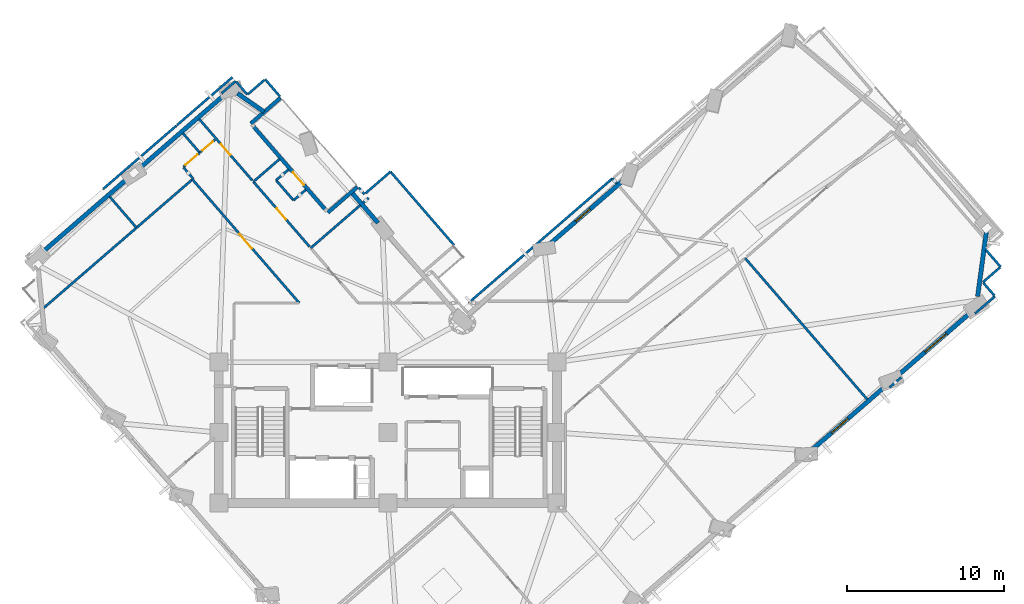
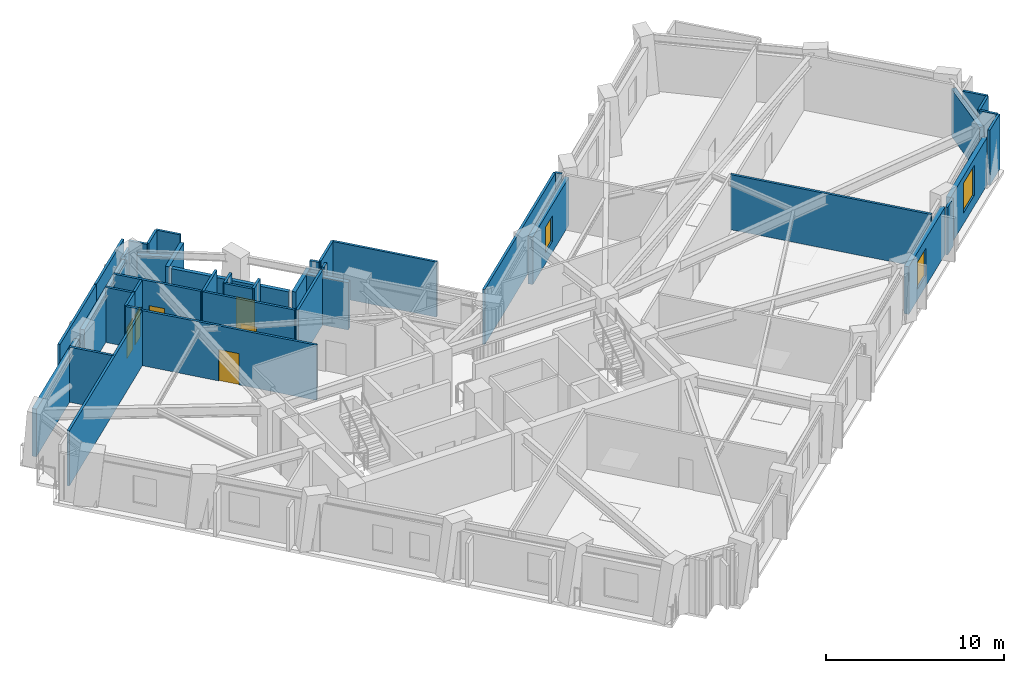
# One storey, part 8 of 14: 43 walls, 6 doors, 3 windows, 9 openings.
"""IFC4 building model written with IfcOpenShell, lengths in metres."""

from ifc_helpers import new_model, si_unit, direction, frame, frame_2d, origin, place, context, subcontext, project, spatial, rectangle, extrude, material, layer, layer_set, type_object, element, fill, save


model = new_model("IFC4")

# Units and contexts
model_context = context("Model", 3, precision=1e-05, world=origin(), true_north=direction((0.0, 1.0)))
body_context = subcontext(model_context, "Body", "Model", "MODEL_VIEW")
ifc_project = project(units=[si_unit("LENGTHUNIT", "METRE"), si_unit("AREAUNIT", "SQUARE_METRE"), si_unit("VOLUMEUNIT", "CUBIC_METRE"), si_unit("PLANEANGLEUNIT", "RADIAN"), si_unit("MASSUNIT", "GRAM", prefix="KILO")], contexts=[model_context])

# Site, building, storey
site_placement = place(None, origin())
site = spatial("IfcSite", under=ifc_project, at=site_placement, CompositionType="ELEMENT")
building_placement = place(site_placement, origin())
building = spatial("IfcBuilding", under=site, at=building_placement, Name="Gaonmaruhae Medical Tower", CompositionType="ELEMENT")
storey_placement = place(building_placement, frame((0.0, 0.0, 197.800048828125)))
storey = spatial("IfcBuildingStorey", under=building, at=storey_placement, Name="L47", CompositionType="ELEMENT", Elevation=197.800048828125)

# Wall, opening, door
ifc_material_1 = material(Name="Precast concrete C45/55", Category="concrete")
ifc_layer_1 = layer(ifc_material_1, 0.239990234375)
ifc_layer_set_1 = layer_set([ifc_layer_1], Name="Precast concrete C45/55")
wall_type_1 = type_object("IfcWallType", Name="EW-240 Ribbon & Shelter Insulated Precast Wall", PredefinedType="SOLIDWALL", material=ifc_layer_set_1)
wall_1_placement = place(storey_placement, frame((16.22998046875, 31.831298828125, 0.0), z_axis=(0.0, 0.0, 1.0), x_axis=(0.654092813451, -0.756414298775, 0.0)))
wall_1 = element("IfcWall", 1, at=wall_1_placement, inside=storey, type_object=wall_type_1, Name="L47 Recessed Terrace Enclosure Wall TERB", PredefinedType="SOLIDWALL", context=body_context, shape_type="SweptSolid", body=[
    extrude(rectangle(XDim=6.9599609375, YDim=0.239990234375, at=frame_2d((3.47998046875, 0.0))), origin(), (0.0, 0.0, 1.0), 3.264892578125),
])
opening_1_placement = place(wall_1_placement, frame((3.819580078125, 0.0, 0.0)))
opening_1 = element("IfcOpeningElement", 2, at=opening_1_placement, cuts=wall_1, Name="Opening TD-01", PredefinedType="OPENING", context=body_context, shape_type="SweptSolid", body=[
    extrude(rectangle(XDim=1.10009765625, YDim=2.14990234375, at=frame_2d((0.550048828125, 1.074951171875))), frame((0.0, 0.1298828125, 0.0), z_axis=(0.0, -1.0, 0.0), x_axis=(1.0, 0.0, 0.0)), (0.0, 0.0, 1.0), 0.260009765625),
])
ifc_material_2 = material(Name="Anodised aluminium and toughened safety glass", Category="aluminium")
door_type_1 = type_object("IfcDoorType", Name="TD-01 Terrace & Sky Garden Glazed Door 1100x2150", OperationType="NOTDEFINED", PredefinedType="DOOR", material=ifc_material_2)
door_1_placement = place(opening_1_placement, origin())
door_1 = element("IfcDoor", 3, at=door_1_placement, inside=storey, type_object=door_type_1, Name="L47 Outdoor Terrace Access Door SLB-L47-TER", OperationType="SINGLE_SWING_LEFT", OverallHeight=2.14990234375, OverallWidth=1.10009765625, PredefinedType="DOOR", context=body_context, shape_type="SweptSolid", body=[
    extrude(rectangle(XDim=1.10009765625, YDim=2.14990234375, at=frame_2d((0.550048828125, 1.074951171875))), frame((0.0, 0.02490234375, 0.0), z_axis=(0.0, -1.0, 0.0), x_axis=(1.0, 0.0, 0.0)), (0.0, 0.0, 1.0), 0.050048828125),
])
fill(opening_1, door_1)

# Walls
for number, where, z_axis, x_axis, name in (
    (4, (20.965576171875, 26.354736328125, 0.0), (0.0, 0.0, 1.0), (0.756423238551, 0.65408247506, 0.0), "L47 Recessed Terrace Enclosure Wall TERL"),
    (5, (17.93798828125, 33.67822265625, 0.0), (0.0, 0.0, 1.0), (-0.75647155488, -0.654026594763, 0.0), "L47 Recessed Terrace Enclosure Wall TERR"),
):
    element("IfcWall", number, at=place(storey_placement, frame(where, z_axis=z_axis, x_axis=x_axis)), inside=storey, type_object=wall_type_1, Name=name, PredefinedType="SOLIDWALL", context=body_context, shape_type="SweptSolid", body=[
        extrude(rectangle(XDim=2.5, YDim=0.239990234375, at=frame_2d((1.25, 0.0))), origin(), (0.0, 0.0, 1.0), 3.264892578125),
    ])

# Wall, opening, window
ifc_layer_2 = layer(ifc_material_1, 0.280029296875)
ifc_layer_set_2 = layer_set([ifc_layer_2], Name="Precast concrete C45/55")
wall_type_2 = type_object("IfcWallType", Name="EW-280 Upper Precast Masonry-Frame Facade Wall", PredefinedType="SOLIDWALL", material=ifc_layer_set_2)
wall_2_placement = place(storey_placement, frame((56.69873046875, 15.35888671875, 0.0), z_axis=(0.0, 0.0, 1.0), x_axis=(-0.756411472006, -0.654096082405, 0.0)))
wall_2 = element("IfcWall", 6, at=wall_2_placement, inside=storey, type_object=wall_type_2, Name="L47 Precast Masonry-Frame Wall S05-S06", PredefinedType="SOLIDWALL", context=body_context, shape_type="SweptSolid", body=[
    extrude(rectangle(XDim=6.21826171875, YDim=0.280029296875, at=frame_2d((3.109130859375, 0.0))), origin(), (0.0, 0.0, 1.0), 3.264892578125),
])
opening_2_placement = place(wall_2_placement, frame((3.3046875, 0.0, 0.75)))
opening_2 = element("IfcOpeningElement", 7, at=opening_2_placement, cuts=wall_2, Name="Opening WN-03", PredefinedType="OPENING", context=body_context, shape_type="SweptSolid", body=[
    extrude(rectangle(XDim=1.39990234375, YDim=1.85009765625, at=frame_2d((0.699951171875, 0.925048828125))), frame((0.0, 0.14990234375, 0.0), z_axis=(0.0, -1.0, 0.0), x_axis=(1.0, 0.0, 0.0)), (0.0, 0.0, 1.0), 0.300048828125),
])
ifc_material_3 = material(Name="Anodised aluminium and Low-E double glazing", Category="aluminium")
window_type_1 = type_object("IfcWindowType", Name="WN-03 Isolation Ward Punched Window 1400x1850", PartitioningType="SINGLE_PANEL", PredefinedType="WINDOW", material=ifc_material_3)
window_1_placement = place(opening_2_placement, origin())
window_1 = element("IfcWindow", 8, at=window_1_placement, inside=storey, type_object=window_type_1, Name="L47 Modular Facade Window S05", OverallHeight=1.85009765625, OverallWidth=1.39990234375, PartitioningType="SINGLE_PANEL", PredefinedType="WINDOW", context=body_context, shape_type="SweptSolid", body=[
    extrude(rectangle(XDim=1.39990234375, YDim=1.85009765625, at=frame_2d((0.699951171875, 0.925048828125))), frame((0.0, 0.030029296875, 0.0), z_axis=(0.0, -1.0, 0.0), x_axis=(1.0, 0.0, 0.0)), (0.0, 0.0, 1.0), 0.06005859375),
])
fill(opening_2, window_1)

wall_3_placement = place(storey_placement, frame((62.156494140625, 20.078369140625, 0.0), z_axis=(0.0, 0.0, 1.0), x_axis=(-0.756391936457, -0.654118673073, 0.0)))
wall_3 = element("IfcWall", 9, at=wall_3_placement, inside=storey, type_object=wall_type_2, Name="L47 Precast Masonry-Frame Wall S06-S07", PredefinedType="SOLIDWALL", context=body_context, shape_type="SweptSolid", body=[
    extrude(rectangle(XDim=6.242431640625, YDim=0.280029296875, at=frame_2d((3.12109375, 0.0))), origin(), (0.0, 0.0, 1.0), 3.264892578125),
])
opening_3_placement = place(wall_3_placement, frame((2.22509765625, 0.0, 0.75)))
opening_3 = element("IfcOpeningElement", 10, at=opening_3_placement, cuts=wall_3, Name="Opening WN-04", PredefinedType="OPENING", context=body_context, shape_type="SweptSolid", body=[
    extrude(rectangle(XDim=1.800048828125, YDim=2.050048828125, at=frame_2d((0.89990234375, 1.02490234375))), frame((0.0, 0.14990234375, 0.0), z_axis=(0.0, -1.0, 0.0), x_axis=(1.0, 0.0, 0.0)), (0.0, 0.0, 1.0), 0.300048828125),
])
window_type_2 = type_object("IfcWindowType", Name="WN-04 Clinic & Consult Punched Window 1800x2050", PartitioningType="SINGLE_PANEL", PredefinedType="WINDOW", material=ifc_material_3)
window_2_placement = place(opening_3_placement, origin())
window_2 = element("IfcWindow", 11, at=window_2_placement, inside=storey, type_object=window_type_2, Name="L47 Modular Facade Window S06", OverallHeight=2.050048828125, OverallWidth=1.800048828125, PartitioningType="SINGLE_PANEL", PredefinedType="WINDOW", context=body_context, shape_type="SweptSolid", body=[
    extrude(rectangle(XDim=1.800048828125, YDim=2.050048828125, at=frame_2d((0.89990234375, 1.02490234375))), frame((0.0, 0.030029296875, 0.0), z_axis=(0.0, -1.0, 0.0), x_axis=(1.0, 0.0, 0.0)), (0.0, 0.0, 1.0), 0.06005859375),
])
fill(opening_3, window_2)

# Wall
wall_4_placement = place(storey_placement, frame((63.028564453125, 25.10498046875, 0.0), z_axis=(0.0, 0.0, 1.0), x_axis=(-0.134053903039, -0.990974041577, 0.0)))
element("IfcWall", 12, at=wall_4_placement, inside=storey, type_object=wall_type_2, Name="L47 Precast Masonry-Frame Wall S07-E01", PredefinedType="SOLIDWALL", context=body_context, shape_type="SweptSolid", body=[
    extrude(rectangle(XDim=4.14501953125, YDim=0.280029296875, at=frame_2d((2.072509765625, 0.0))), origin(), (0.0, 0.0, 1.0), 3.264892578125),
])

# Wall, opening, window
wall_5_placement = place(storey_placement, frame((35.16943359375, 24.372314453125, 0.0), z_axis=(0.0, 0.0, 1.0), x_axis=(0.756430449214, 0.65407413609, 0.0)))
wall_5 = element("IfcWall", 13, at=wall_5_placement, inside=storey, type_object=wall_type_2, Name="L47 Precast Masonry-Frame Wall EN02-EN03", PredefinedType="SOLIDWALL", context=body_context, shape_type="SweptSolid", body=[
    extrude(rectangle(XDim=6.211181640625, YDim=0.280029296875, at=frame_2d((3.10546875, 0.0))), origin(), (0.0, 0.0, 1.0), 3.264892578125),
])
opening_4_placement = place(wall_5_placement, frame((2.161376953125, 0.0, 0.75)))
opening_4 = element("IfcOpeningElement", 14, at=opening_4_placement, cuts=wall_5, Name="Opening WN-05", PredefinedType="OPENING", context=body_context, shape_type="SweptSolid", body=[
    extrude(rectangle(XDim=1.199951171875, YDim=1.75, at=frame_2d((0.60009765625, 0.875))), frame((0.0, 0.14990234375, 0.0), z_axis=(0.0, -1.0, 0.0), x_axis=(1.0, 0.0, 0.0)), (0.0, 0.0, 1.0), 0.300048828125),
])
window_type_3 = type_object("IfcWindowType", Name="WN-05 Support & Staff Punched Window 1200x1750", PartitioningType="SINGLE_PANEL", PredefinedType="WINDOW", material=ifc_material_3)
window_3_placement = place(opening_4_placement, origin())
window_3 = element("IfcWindow", 15, at=window_3_placement, inside=storey, type_object=window_type_3, Name="L47 Modular Facade Window EN02", OverallHeight=1.75, OverallWidth=1.199951171875, PartitioningType="SINGLE_PANEL", PredefinedType="WINDOW", context=body_context, shape_type="SweptSolid", body=[
    extrude(rectangle(XDim=1.199951171875, YDim=1.75, at=frame_2d((0.60009765625, 0.875))), frame((0.0, 0.030029296875, 0.0), z_axis=(0.0, -1.0, 0.0), x_axis=(1.0, 0.0, 0.0)), (0.0, 0.0, 1.0), 0.06005859375),
])
fill(opening_4, window_3)

# Walls
wall_6_placement = place(storey_placement, frame((24.17236328125, 25.688720703125, 0.0), z_axis=(0.0, 0.0, 1.0), x_axis=(-0.654087588851, 0.756418816603, 0.0)))
element("IfcWall", 16, at=wall_6_placement, inside=storey, type_object=wall_type_2, Name="L47 Precast Masonry-Frame Wall NE01-NE02", PredefinedType="SOLIDWALL", context=body_context, shape_type="SweptSolid", body=[
    extrude(rectangle(XDim=2.58154296875, YDim=0.280029296875, at=frame_2d((1.290771484375, 0.0))), origin(), (0.0, 0.0, 1.0), 3.244873046875),
])
wall_7_placement = place(storey_placement, frame((15.1923828125, 33.966796875, 0.0), z_axis=(0.0, 0.0, 1.0), x_axis=(0.821504218331, -0.570202437092, 0.0)))
element("IfcWall", 17, at=wall_7_placement, inside=storey, type_object=wall_type_2, Name="L47 Precast Masonry-Frame Wall NE02-N01", PredefinedType="SOLIDWALL", context=body_context, shape_type="SweptSolid", body=[
    extrude(rectangle(XDim=2.05859375, YDim=0.280029296875, at=frame_2d((1.029296875, 0.0))), origin(), (0.0, 0.0, 1.0), 3.244873046875),
])
wall_8_placement = place(storey_placement, frame((8.826171875, 29.091064453125, 0.0), z_axis=(0.0, 0.0, 1.0), x_axis=(0.756422768402, 0.654083018769, 0.0)))
element("IfcWall", 18, at=wall_8_placement, inside=storey, type_object=wall_type_2, Name="L47 Precast Masonry-Frame Wall N01-N02", PredefinedType="SOLIDWALL", context=body_context, shape_type="SweptSolid", body=[
    extrude(rectangle(XDim=7.230712890625, YDim=0.280029296875, at=frame_2d((3.615234375, 0.0))), origin(), (0.0, 0.0, 1.0), 3.264892578125),
])
wall_9_placement = place(storey_placement, frame((2.60498046875, 23.711669921875, 0.0), z_axis=(0.0, 0.0, 1.0), x_axis=(0.756416610338, 0.654090140275, 0.0)))
element("IfcWall", 19, at=wall_9_placement, inside=storey, type_object=wall_type_2, Name="L47 Precast Masonry-Frame Wall N02-N03", PredefinedType="SOLIDWALL", context=body_context, shape_type="SweptSolid", body=[
    extrude(rectangle(XDim=7.269775390625, YDim=0.280029296875, at=frame_2d((3.634765625, 0.0))), origin(), (0.0, 0.0, 1.0), 3.264892578125),
])
ifc_material_4 = material(Name="Gypsum board partition", Category="gypsum")
ifc_layer_3 = layer(ifc_material_4, 0.14990234375)
ifc_layer_set_3 = layer_set([ifc_layer_3], Name="Gypsum board partition")
wall_type_3 = type_object("IfcWallType", Name="PW-150 Rated Clinical Corridor Partition", PredefinedType="PARTITIONING", material=ifc_layer_set_3)
wall_10_placement = place(storey_placement, frame((47.6201171875, 23.43896484375, 0.0), z_axis=(0.0, 0.0, 1.0), x_axis=(0.654095318202, -0.756412132839, 0.0)))
element("IfcWall", 20, at=wall_10_placement, inside=storey, type_object=wall_type_3, Name="L47 Interior Partition L47-SUP03-23", PredefinedType="PARTITIONING", context=body_context, shape_type="SweptSolid", body=[
    extrude(rectangle(XDim=11.935302734375, YDim=0.14990234375, at=frame_2d((5.9677734375, 0.0))), origin(), (0.0, 0.0, 1.0), 3.780029296875),
])
wall_11_placement = place(storey_placement, frame((63.583984375, 21.008056640625, 0.0), z_axis=(0.0, 0.0, 1.0), x_axis=(-0.756513998458, -0.653977499718, 0.0)))
element("IfcWall", 21, at=wall_11_placement, inside=storey, type_object=wall_type_3, Name="L47 Interior Partition L47-SUP04-25", PredefinedType="PARTITIONING", context=body_context, shape_type="SweptSolid", body=[
    extrude(rectangle(XDim=1.688232421875, YDim=0.14990234375, at=frame_2d((0.84423828125, 0.0))), origin(), (0.0, 0.0, 1.0), 3.780029296875),
])
wall_12_placement = place(storey_placement, frame((57.5849609375, 15.822021484375, 0.0), z_axis=(0.0, 0.0, 1.0), x_axis=(-0.75607796625, -0.654481557381, 0.0)))
element("IfcWall", 22, at=wall_12_placement, inside=storey, type_object=wall_type_3, Name="L47 Interior Partition L47-SUP04-26", PredefinedType="PARTITIONING", context=body_context, shape_type="SweptSolid", body=[
    extrude(rectangle(XDim=0.97314453125, YDim=0.14990234375, at=frame_2d((0.486572265625, 0.0))), origin(), (0.0, 0.0, 1.0), 3.264892578125),
])
wall_13_placement = place(storey_placement, frame((62.992919921875, 23.98388671875, 0.0), z_axis=(0.0, 0.0, 1.0), x_axis=(0.654234843955, -0.756291457677, 0.0)))
element("IfcWall", 23, at=wall_13_placement, inside=storey, type_object=wall_type_3, Name="L47 Interior Partition L47-SUP04-29", PredefinedType="PARTITIONING", context=body_context, shape_type="SweptSolid", body=[
    extrude(rectangle(XDim=1.456787109375, YDim=0.14990234375, at=frame_2d((0.728515625, 0.0))), origin(), (0.0, 0.0, 1.0), 3.780029296875),
])
wall_14_placement = place(storey_placement, frame((63.907958984375, 22.84912109375, 0.0), z_axis=(0.0, 0.0, 1.0), x_axis=(-0.756227992108, -0.654308202572, 0.0)))
element("IfcWall", 24, at=wall_14_placement, inside=storey, type_object=wall_type_3, Name="L47 Interior Partition L47-SUP04-30", PredefinedType="PARTITIONING", context=body_context, shape_type="SweptSolid", body=[
    extrude(rectangle(XDim=1.44921875, YDim=0.14990234375, at=frame_2d((0.724609375, 0.0))), origin(), (0.0, 0.0, 1.0), 3.780029296875),
])
wall_15_placement = place(storey_placement, frame((62.844970703125, 21.863037109375, 0.0), z_axis=(0.0, 0.0, 1.0), x_axis=(0.653802314779, -0.756665403722, 0.0)))
element("IfcWall", 25, at=wall_15_placement, inside=storey, type_object=wall_type_3, Name="L47 Interior Partition L47-SUP04-31", PredefinedType="PARTITIONING", context=body_context, shape_type="SweptSolid", body=[
    extrude(rectangle(XDim=1.079833984375, YDim=0.14990234375, at=frame_2d((0.5400390625, 0.0))), origin(), (0.0, 0.0, 1.0), 3.780029296875),
])
wall_16_placement = place(storey_placement, frame((2.820068359375, 20.261962890625, 0.0), z_axis=(0.0, 0.0, 1.0), x_axis=(0.756440163384, 0.654062901577, 0.0)))
element("IfcWall", 26, at=wall_16_placement, inside=storey, type_object=wall_type_3, Name="L47 Interior Partition L47-WOF06-43", PredefinedType="PARTITIONING", context=body_context, shape_type="SweptSolid", body=[
    extrude(rectangle(XDim=12.55078125, YDim=0.14990234375, at=frame_2d((6.275390625, 0.0))), origin(), (0.0, 0.0, 1.0), 3.780029296875),
])

# Wall, opening, door
wall_17_placement = place(storey_placement, frame((12.31396484375, 28.470947265625, 0.0), z_axis=(0.0, 0.0, 1.0), x_axis=(0.654121175756, -0.756389772159, 0.0)))
wall_17 = element("IfcWall", 27, at=wall_17_placement, inside=storey, type_object=wall_type_3, Name="L47 Interior Partition L47-WOF06-44", PredefinedType="PARTITIONING", context=body_context, shape_type="SweptSolid", body=[
    extrude(rectangle(XDim=10.432373046875, YDim=0.14990234375, at=frame_2d((5.21630859375, 0.0))), origin(), (0.0, 0.0, 1.0), 3.780029296875),
])
opening_5_placement = place(wall_17_placement, frame((4.6162109375, 0.0, 0.0)))
opening_5 = element("IfcOpeningElement", 28, at=opening_5_placement, cuts=wall_17, Name="Opening CD-02", PredefinedType="OPENING", context=body_context, shape_type="SweptSolid", body=[
    extrude(rectangle(XDim=1.199951171875, YDim=2.14990234375, at=frame_2d((0.60009765625, 1.074951171875))), frame((0.0, 0.0849609375, 0.0), z_axis=(0.0, -1.0, 0.0), x_axis=(1.0, 0.0, 0.0)), (0.0, 0.0, 1.0), 0.169921875),
])
ifc_material_5 = material(Name="Antimicrobial laminate timber fire door", Category="wood")
door_type_2 = type_object("IfcDoorType", Name="CD-02 Clinical Treatment & Procedure Door 1200x2150", OperationType="NOTDEFINED", PredefinedType="DOOR", material=ifc_material_5)
door_2_placement = place(opening_5_placement, origin())
door_2 = element("IfcDoor", 29, at=door_2_placement, inside=storey, type_object=door_type_2, Name="L47 Ward Physician Reporting Office Door", OperationType="SINGLE_SWING_RIGHT", OverallHeight=2.14990234375, OverallWidth=1.199951171875, PredefinedType="DOOR", context=body_context, shape_type="SweptSolid", body=[
    extrude(rectangle(XDim=1.199951171875, YDim=2.14990234375, at=frame_2d((0.60009765625, 1.074951171875))), frame((0.0, 0.02490234375, 0.0), z_axis=(0.0, -1.0, 0.0), x_axis=(1.0, 0.0, 0.0)), (0.0, 0.0, 1.0), 0.050048828125),
])
fill(opening_5, door_2)

# Walls
wall_18_placement = place(storey_placement, frame((29.943115234375, 20.580078125, 0.0), z_axis=(0.0, 0.0, 1.0), x_axis=(0.756413617827, 0.654093600921, 0.0)))
element("IfcWall", 30, at=wall_18_placement, inside=storey, type_object=wall_type_3, Name="L47 Interior Partition L47-IE01-47", PredefinedType="PARTITIONING", context=body_context, shape_type="SweptSolid", body=[
    extrude(rectangle(XDim=12.16650390625, YDim=0.14990234375, at=frame_2d((6.083251953125, 0.0))), origin(), (0.0, 0.0, 1.0), 3.780029296875),
])
wall_19_placement = place(storey_placement, frame((39.14599609375, 28.5380859375, 0.0), z_axis=(0.0, 0.0, 1.0), x_axis=(0.653239570373, -0.757151281911, 0.0)))
element("IfcWall", 31, at=wall_19_placement, inside=storey, type_object=wall_type_3, Name="L47 Interior Partition L47-IE01-48", PredefinedType="PARTITIONING", context=body_context, shape_type="SweptSolid", body=[
    extrude(rectangle(XDim=0.4345703125, YDim=0.14990234375, at=frame_2d((0.21728515625, 0.0))), origin(), (0.0, 0.0, 1.0), 3.780029296875),
])
wall_20_placement = place(storey_placement, frame((19.8720703125, 24.0869140625, 0.0), z_axis=(0.0, 0.0, 1.0), x_axis=(0.756494990974, 0.653999486721, 0.0)))
element("IfcWall", 32, at=wall_20_placement, inside=storey, type_object=wall_type_3, Name="L47 Interior Partition L47-IN01-58", PredefinedType="PARTITIONING", context=body_context, shape_type="SweptSolid", body=[
    extrude(rectangle(XDim=4.18505859375, YDim=0.14990234375, at=frame_2d((2.092529296875, 0.0))), origin(), (0.0, 0.0, 1.0), 3.780029296875),
])
wall_21_placement = place(storey_placement, frame((23.2119140625, 26.97509765625, 0.0), z_axis=(0.0, 0.0, 1.0), x_axis=(0.75704932423, 0.653357727959, 0.0)))
element("IfcWall", 33, at=wall_21_placement, inside=storey, type_object=wall_type_3, Name="L47 Interior Partition L47-IN01-59", PredefinedType="PARTITIONING", context=body_context, shape_type="SweptSolid", body=[
    extrude(rectangle(XDim=0.485107421875, YDim=0.14990234375, at=frame_2d((0.24267578125, 0.0))), origin(), (0.0, 0.0, 1.0), 3.780029296875),
])

# Wall, opening, door
wall_22_placement = place(storey_placement, frame((19.7939453125, 24.177978515625, 0.0), z_axis=(0.0, 0.0, 1.0), x_axis=(-0.6541601986, 0.756356023687, 0.0)))
wall_22 = element("IfcWall", 34, at=wall_22_placement, inside=storey, type_object=wall_type_3, Name="L47 Interior Partition L47-IN02-65", PredefinedType="PARTITIONING", context=body_context, shape_type="SweptSolid", body=[
    extrude(rectangle(XDim=5.480224609375, YDim=0.14990234375, at=frame_2d((2.740234375, 0.0))), origin(), (0.0, 0.0, 1.0), 3.780029296875),
])
opening_6_placement = place(wall_22_placement, frame((2.280029296875, 0.0, 0.0)))
opening_6 = element("IfcOpeningElement", 35, at=opening_6_placement, cuts=wall_22, Name="Opening UD-01", PredefinedType="OPENING", context=body_context, shape_type="SweptSolid", body=[
    extrude(rectangle(XDim=0.919921875, YDim=2.10009765625, at=frame_2d((0.4599609375, 1.050048828125))), frame((0.0, 0.0849609375, 0.0), z_axis=(0.0, -1.0, 0.0), x_axis=(1.0, 0.0, 0.0)), (0.0, 0.0, 1.0), 0.169921875),
])
ifc_material_6 = material(Name="Powder-coated steel utility door", Category="steel")
door_type_3 = type_object("IfcDoorType", Name="UD-01 Toilet, Utility & Housekeeping Door 920x2100", OperationType="NOTDEFINED", PredefinedType="DOOR", material=ifc_material_6)
door_3_placement = place(opening_6_placement, origin())
door_3 = element("IfcDoor", 36, at=door_3_placement, inside=storey, type_object=door_type_3, Name="L47 Ward Nutrition Pantry Door", OperationType="SINGLE_SWING_RIGHT", OverallHeight=2.10009765625, OverallWidth=0.919921875, PredefinedType="DOOR", context=body_context, shape_type="SweptSolid", body=[
    extrude(rectangle(XDim=0.919921875, YDim=2.10009765625, at=frame_2d((0.4599609375, 1.050048828125))), frame((0.0, 0.02490234375, 0.0), z_axis=(0.0, -1.0, 0.0), x_axis=(1.0, 0.0, 0.0)), (0.0, 0.0, 1.0), 0.050048828125),
])
fill(opening_6, door_3)

# Walls
wall_23_placement = place(storey_placement, frame((16.208984375, 28.322998046875, 0.0), z_axis=(0.0, 0.0, 1.0), x_axis=(0.756488411531, 0.654007097223, 0.0)))
element("IfcWall", 37, at=wall_23_placement, inside=storey, type_object=wall_type_3, Name="L47 Interior Partition L47-IN02-66", PredefinedType="PARTITIONING", context=body_context, shape_type="SweptSolid", body=[
    extrude(rectangle(XDim=2.215576171875, YDim=0.14990234375, at=frame_2d((1.10791015625, 0.0))), origin(), (0.0, 0.0, 1.0), 3.780029296875),
])
wall_24_placement = place(storey_placement, frame((18.4599609375, 29.10693359375, 0.0), z_axis=(0.0, 0.0, 1.0), x_axis=(-0.756406502771, -0.654101828896, 0.0)))
element("IfcWall", 38, at=wall_24_placement, inside=storey, type_object=wall_type_3, Name="L47 Interior Partition L47-IN02-67", PredefinedType="PARTITIONING", context=body_context, shape_type="SweptSolid", body=[
    extrude(rectangle(XDim=1.0546875, YDim=0.14990234375, at=frame_2d((0.52734375, 0.0))), origin(), (0.0, 0.0, 1.0), 3.780029296875),
])
wall_25_placement = place(storey_placement, frame((17.662109375, 28.4169921875, 0.0), z_axis=(0.0, 0.0, 1.0), x_axis=(0.654049777845, -0.75645151074, 0.0)))
element("IfcWall", 39, at=wall_25_placement, inside=storey, type_object=wall_type_3, Name="L47 Interior Partition L47-IN02-68", PredefinedType="PARTITIONING", context=body_context, shape_type="SweptSolid", body=[
    extrude(rectangle(XDim=1.699951171875, YDim=0.14990234375, at=frame_2d((0.85009765625, 0.0))), origin(), (0.0, 0.0, 1.0), 3.780029296875),
])
wall_26_placement = place(storey_placement, frame((18.77392578125, 27.131103515625, 0.0), z_axis=(0.0, 0.0, 1.0), x_axis=(0.756505506121, 0.653987323431, 0.0)))
element("IfcWall", 40, at=wall_26_placement, inside=storey, type_object=wall_type_3, Name="L47 Interior Partition L47-IN02-69", PredefinedType="PARTITIONING", context=body_context, shape_type="SweptSolid", body=[
    extrude(rectangle(XDim=1.054931640625, YDim=0.14990234375, at=frame_2d((0.52734375, 0.0))), origin(), (0.0, 0.0, 1.0), 3.780029296875),
])
wall_27_placement = place(storey_placement, frame((22.943115234375, 27.950927734375, 0.0), z_axis=(0.0, 0.0, 1.0), x_axis=(0.654628599647, -0.755950657466, 0.0)))
element("IfcWall", 41, at=wall_27_placement, inside=storey, type_object=wall_type_3, Name="L47 Interior Partition L47-IN02-70", PredefinedType="PARTITIONING", context=body_context, shape_type="SweptSolid", body=[
    extrude(rectangle(XDim=0.55419921875, YDim=0.14990234375, at=frame_2d((0.277099609375, 0.0))), origin(), (0.0, 0.0, 1.0), 3.780029296875),
])
wall_28_placement = place(storey_placement, frame((16.9609375, 34.868896484375, 0.0), z_axis=(0.0, 0.0, 1.0), x_axis=(0.654131164674, -0.75638113369, 0.0)))
element("IfcWall", 42, at=wall_28_placement, inside=storey, type_object=wall_type_3, Name="L47 Interior Partition L47-IN03-71", PredefinedType="PARTITIONING", context=body_context, shape_type="SweptSolid", body=[
    extrude(rectangle(XDim=1.4541015625, YDim=0.14990234375, at=frame_2d((0.72705078125, 0.0))), origin(), (0.0, 0.0, 1.0), 3.780029296875),
])

# Wall, opening, door
wall_29_placement = place(storey_placement, frame((16.131103515625, 28.4140625, 0.0), z_axis=(0.0, 0.0, 1.0), x_axis=(-0.654044709292, 0.756455893127, 0.0)))
wall_29 = element("IfcWall", 43, at=wall_29_placement, inside=storey, type_object=wall_type_3, Name="L47 Interior Partition L47-IN03-72", PredefinedType="PARTITIONING", context=body_context, shape_type="SweptSolid", body=[
    extrude(rectangle(XDim=5.175537109375, YDim=0.14990234375, at=frame_2d((2.587890625, 0.0))), origin(), (0.0, 0.0, 1.0), 3.780029296875),
])
opening_7_placement = place(wall_29_placement, frame((2.127685546875, 0.0, 0.0)))
opening_7 = element("IfcOpeningElement", 44, at=opening_7_placement, cuts=wall_29, Name="Opening UD-01", PredefinedType="OPENING", context=body_context, shape_type="SweptSolid", body=[
    extrude(rectangle(XDim=0.919921875, YDim=2.10009765625, at=frame_2d((0.4599609375, 1.050048828125))), frame((0.0, 0.0849609375, 0.0), z_axis=(0.0, -1.0, 0.0), x_axis=(1.0, 0.0, 0.0)), (0.0, 0.0, 1.0), 0.169921875),
])
door_4_placement = place(opening_7_placement, origin())
door_4 = element("IfcDoor", 45, at=door_4_placement, inside=storey, type_object=door_type_3, Name="L47 Public Visitor Toilet Door", OperationType="SINGLE_SWING_RIGHT", OverallHeight=2.10009765625, OverallWidth=0.919921875, PredefinedType="DOOR", context=body_context, shape_type="SweptSolid", body=[
    extrude(rectangle(XDim=0.919921875, YDim=2.10009765625, at=frame_2d((0.4599609375, 1.050048828125))), frame((0.0, 0.02490234375, 0.0), z_axis=(0.0, -1.0, 0.0), x_axis=(1.0, 0.0, 0.0)), (0.0, 0.0, 1.0), 0.050048828125),
])
fill(opening_7, door_4)

# Walls
wall_30_placement = place(storey_placement, frame((14.1708984375, 33.964111328125, 0.0), z_axis=(0.0, 0.0, 1.0), x_axis=(0.756485267344, 0.65401073408, 0.0)))
element("IfcWall", 46, at=wall_30_placement, inside=storey, type_object=wall_type_3, Name="L47 Interior Partition L47-IN03-73", PredefinedType="PARTITIONING", context=body_context, shape_type="SweptSolid", body=[
    extrude(rectangle(XDim=1.203125, YDim=0.14990234375, at=frame_2d((0.6015625, 0.0))), origin(), (0.0, 0.0, 1.0), 3.264892578125),
])
wall_31_placement = place(storey_placement, frame((15.114013671875, 34.712890625, 0.0), z_axis=(0.0, 0.0, 1.0), x_axis=(0.653333992429, -0.7570698081, 0.0)))
element("IfcWall", 47, at=wall_31_placement, inside=storey, type_object=wall_type_3, Name="L47 Interior Partition L47-IN03-74", PredefinedType="PARTITIONING", context=body_context, shape_type="SweptSolid", body=[
    extrude(rectangle(XDim=1.089599609375, YDim=0.14990234375, at=frame_2d((0.544921875, 0.0))), origin(), (0.0, 0.0, 1.0), 3.780029296875),
])
wall_32_placement = place(storey_placement, frame((15.864013671875, 33.9208984375, 0.0), z_axis=(0.0, 0.0, 1.0), x_axis=(0.756689638631, 0.653774265927, 0.0)))
element("IfcWall", 48, at=wall_32_placement, inside=storey, type_object=wall_type_3, Name="L47 Interior Partition L47-IN03-75", PredefinedType="PARTITIONING", context=body_context, shape_type="SweptSolid", body=[
    extrude(rectangle(XDim=1.399658203125, YDim=0.14990234375, at=frame_2d((0.69970703125, 0.0))), origin(), (0.0, 0.0, 1.0), 3.780029296875),
])
wall_33_placement = place(storey_placement, frame((11.7451171875, 29.236083984375, 0.0), z_axis=(0.0, 0.0, 1.0), x_axis=(0.654147961866, -0.756366606869, 0.0)))
element("IfcWall", 49, at=wall_33_placement, inside=storey, type_object=wall_type_3, Name="L47 Interior Partition L47-RM02-76", PredefinedType="PARTITIONING", context=body_context, shape_type="SweptSolid", body=[
    extrude(rectangle(XDim=0.95068359375, YDim=0.14990234375, at=frame_2d((0.475341796875, 0.0))), origin(), (0.0, 0.0, 1.0), 3.780029296875),
])
wall_34_placement = place(storey_placement, frame((8.72998046875, 25.39892578125, 0.0), z_axis=(0.0, 0.0, 1.0), x_axis=(-0.653799696022, 0.75666766647, 0.0)))
element("IfcWall", 50, at=wall_34_placement, inside=storey, type_object=wall_type_3, Name="L47 Interior Partition L47-RM02-77", PredefinedType="PARTITIONING", context=body_context, shape_type="SweptSolid", body=[
    extrude(rectangle(XDim=2.615478515625, YDim=0.14990234375, at=frame_2d((1.3076171875, 0.0))), origin(), (0.0, 0.0, 1.0), 3.780029296875),
])
wall_35_placement = place(storey_placement, frame((6.60498046875, 27.85791015625, 0.0), z_axis=(0.0, 0.0, 1.0), x_axis=(0.75646812848, 0.654030557844, 0.0)))
element("IfcWall", 51, at=wall_35_placement, inside=storey, type_object=wall_type_3, Name="L47 Interior Partition L47-RM02-78", PredefinedType="PARTITIONING", context=body_context, shape_type="SweptSolid", body=[
    extrude(rectangle(XDim=6.189453125, YDim=0.14990234375, at=frame_2d((3.0947265625, 0.0))), origin(), (0.0, 0.0, 1.0), 3.780029296875),
])
wall_36_placement = place(storey_placement, frame((11.701904296875, 31.426025390625, 0.0), z_axis=(0.0, 0.0, 1.0), x_axis=(0.654234021509, -0.756292169138, 0.0)))
element("IfcWall", 52, at=wall_36_placement, inside=storey, type_object=wall_type_3, Name="L47 Interior Partition L47-RM02-79", PredefinedType="PARTITIONING", context=body_context, shape_type="SweptSolid", body=[
    extrude(rectangle(XDim=1.6552734375, YDim=0.14990234375, at=frame_2d((0.82763671875, 0.0))), origin(), (0.0, 0.0, 1.0), 3.780029296875),
])

# Wall, opening, door
wall_37_placement = place(storey_placement, frame((12.784912109375, 30.174072265625, 0.0), z_axis=(0.0, 0.0, 1.0), x_axis=(-0.756451126646, -0.654050222075, 0.0)))
wall_37 = element("IfcWall", 53, at=wall_37_placement, inside=storey, type_object=wall_type_3, Name="L47 Interior Partition L47-RM02-80", PredefinedType="PARTITIONING", context=body_context, shape_type="SweptSolid", body=[
    extrude(rectangle(XDim=1.373291015625, YDim=0.14990234375, at=frame_2d((0.6865234375, 0.0))), origin(), (0.0, 0.0, 1.0), 3.780029296875),
])
opening_8_placement = place(wall_37_placement, frame((0.1865234375, 0.0, 0.0)))
opening_8 = element("IfcOpeningElement", 54, at=opening_8_placement, cuts=wall_37, Name="Opening CD-01", PredefinedType="OPENING", context=body_context, shape_type="SweptSolid", body=[
    extrude(rectangle(XDim=1.0, YDim=2.1201171875, at=frame_2d((0.5, 1.06005859375))), frame((0.0, 0.0849609375, 0.0), z_axis=(0.0, -1.0, 0.0), x_axis=(1.0, 0.0, 0.0)), (0.0, 0.0, 1.0), 0.169921875),
])
door_type_4 = type_object("IfcDoorType", Name="CD-01 Consultation & Physician Office Door 1000x2120", OperationType="NOTDEFINED", PredefinedType="DOOR", material=ifc_material_5)
door_5_placement = place(opening_8_placement, origin())
door_5 = element("IfcDoor", 55, at=door_5_placement, inside=storey, type_object=door_type_4, Name="L47 Care Team Clinical Charting Office Door", OperationType="SINGLE_SWING_RIGHT", OverallHeight=2.1201171875, OverallWidth=1.0, PredefinedType="DOOR", context=body_context, shape_type="SweptSolid", body=[
    extrude(rectangle(XDim=1.0, YDim=2.1201171875, at=frame_2d((0.5, 1.06005859375))), frame((0.0, 0.02490234375, 0.0), z_axis=(0.0, -1.0, 0.0), x_axis=(1.0, 0.0, 0.0)), (0.0, 0.0, 1.0), 0.050048828125),
])
fill(opening_8, door_5)

wall_38_placement = place(storey_placement, frame((13.7529296875, 31.010986328125, 0.0), z_axis=(0.0, 0.0, 1.0), x_axis=(-0.75638190287, -0.65413027526, 0.0)))
wall_38 = element("IfcWall", 56, at=wall_38_placement, inside=storey, type_object=wall_type_3, Name="L47 Interior Partition L47-RM04-90", PredefinedType="PARTITIONING", context=body_context, shape_type="SweptSolid", body=[
    extrude(rectangle(XDim=1.219970703125, YDim=0.14990234375, at=frame_2d((0.60986328125, 0.0))), origin(), (0.0, 0.0, 1.0), 3.780029296875),
])
opening_9_placement = place(wall_38_placement, frame((0.18017578125, 0.0, 0.0)))
opening_9 = element("IfcOpeningElement", 57, at=opening_9_placement, cuts=wall_38, Name="Opening AD-01", PredefinedType="OPENING", context=body_context, shape_type="SweptSolid", body=[
    extrude(rectangle(XDim=0.860107421875, YDim=2.06005859375, at=frame_2d((0.43017578125, 1.030029296875))), frame((0.0, 0.0849609375, 0.0), z_axis=(0.0, -1.0, 0.0), x_axis=(1.0, 0.0, 0.0)), (0.0, 0.0, 1.0), 0.169921875),
])
ifc_material_7 = material(Name="Powder-coated steel access door", Category="steel")
door_type_5 = type_object("IfcDoorType", Name="AD-01 Riser & Closet Access Fire Door 860x2060", OperationType="NOTDEFINED", PredefinedType="DOOR", material=ifc_material_7)
door_6_placement = place(opening_9_placement, origin())
door_6 = element("IfcDoor", 58, at=door_6_placement, inside=storey, type_object=door_type_5, Name="L47 Clinical Records Office Door", OperationType="SINGLE_SWING_RIGHT", OverallHeight=2.06005859375, OverallWidth=0.860107421875, PredefinedType="DOOR", context=body_context, shape_type="SweptSolid", body=[
    extrude(rectangle(XDim=0.860107421875, YDim=2.06005859375, at=frame_2d((0.43017578125, 1.030029296875))), frame((0.0, 0.02490234375, 0.0), z_axis=(0.0, -1.0, 0.0), x_axis=(1.0, 0.0, 0.0)), (0.0, 0.0, 1.0), 0.050048828125),
])
fill(opening_9, door_6)

# Walls
wall_39_placement = place(storey_placement, frame((11.33203125, 31.946044921875, 0.0), z_axis=(0.0, 0.0, 1.0), x_axis=(0.756530231034, 0.653958721581, 0.0)))
element("IfcWall", 59, at=wall_39_placement, inside=storey, type_object=wall_type_3, Name="L47 Interior Partition L47-RM04-91", PredefinedType="PARTITIONING", context=body_context, shape_type="SweptSolid", body=[
    extrude(rectangle(XDim=4.669921875, YDim=0.14990234375, at=frame_2d((2.3349609375, 0.0))), origin(), (0.0, 0.0, 1.0), 3.780029296875),
])
wall_40_placement = place(storey_placement, frame((23.365966796875, 27.583984375, 0.0), z_axis=(0.0, 0.0, 1.0), x_axis=(0.756429371743, 0.654075382173, 0.0)))
element("IfcWall", 60, at=wall_40_placement, inside=storey, type_object=wall_type_3, Name="L47 Interior Partition L47-RM05-93", PredefinedType="PARTITIONING", context=body_context, shape_type="SweptSolid", body=[
    extrude(rectangle(XDim=2.12060546875, YDim=0.14990234375, at=frame_2d((1.060302734375, 0.0))), origin(), (0.0, 0.0, 1.0), 3.780029296875),
])
wall_41_placement = place(storey_placement, frame((24.969970703125, 28.970947265625, 0.0), z_axis=(0.0, 0.0, 1.0), x_axis=(0.654131936112, -0.756380466537, 0.0)))
element("IfcWall", 61, at=wall_41_placement, inside=storey, type_object=wall_type_3, Name="L47 Interior Partition L47-RM05-94", PredefinedType="PARTITIONING", context=body_context, shape_type="SweptSolid", body=[
    extrude(rectangle(XDim=6.2294921875, YDim=0.14990234375, at=frame_2d((3.11474609375, 0.0))), origin(), (0.0, 0.0, 1.0), 3.780029296875),
])

save(model, "model.ifc")
